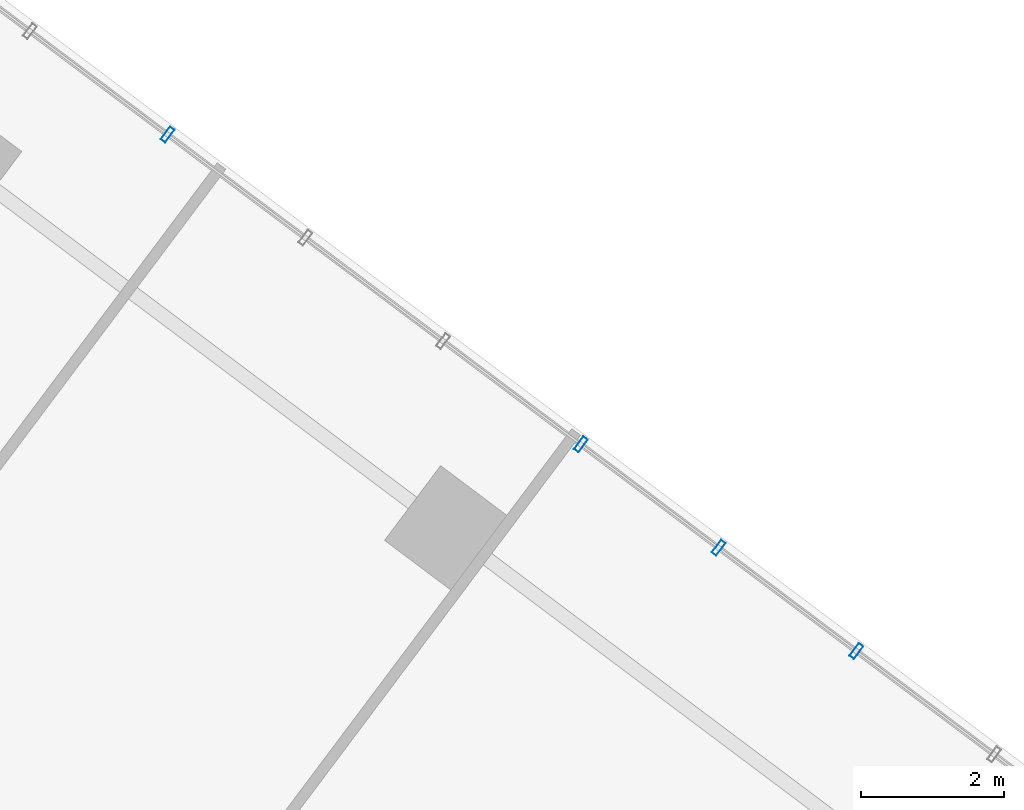
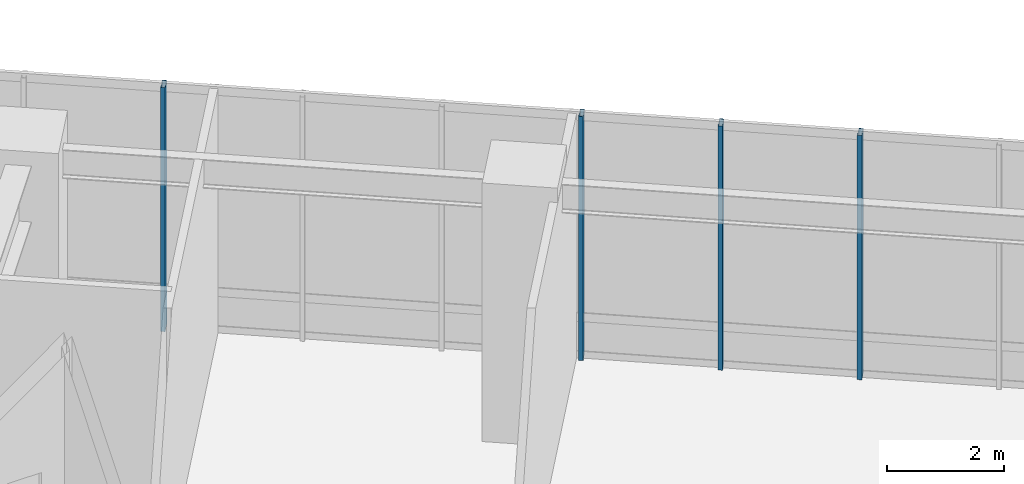
# One storey, part 7 of 35: 4 members, 1 element without a shape of its own.
"""IFC4 building model written with IfcOpenShell, lengths in metres."""

from ifc_helpers import new_model, si_unit, direction, frame, origin, origin_2d, place, context, subcontext, project, spatial, hollow_rectangle, extrude, material, layer, layer_set, material_profile, profile_set, type_object, element, aggregate, save


model = new_model("IFC4")

# Units and contexts
model_context = context("Model", 3, precision=1e-05, world=origin(), true_north=direction((0.0, 1.0)))
body_context = subcontext(model_context, "Body", "Model", "MODEL_VIEW")
ifc_project = project(units=[si_unit("LENGTHUNIT", "METRE"), si_unit("AREAUNIT", "SQUARE_METRE"), si_unit("VOLUMEUNIT", "CUBIC_METRE"), si_unit("PLANEANGLEUNIT", "RADIAN"), si_unit("MASSUNIT", "GRAM", prefix="KILO")], contexts=[model_context])

# Site, building, storey
site_placement = place(None, origin())
site = spatial("IfcSite", under=ifc_project, at=site_placement, CompositionType="ELEMENT")
building_placement = place(site_placement, origin())
building = spatial("IfcBuilding", under=site, at=building_placement, Name="Hatsunagi Terrace Concourse", CompositionType="ELEMENT")
storey_placement = place(building_placement, frame((0.0, 0.0, 10.800048828125)))
storey = spatial("IfcBuildingStorey", under=building, at=storey_placement, Name="L03", CompositionType="ELEMENT", Elevation=10.800048828125)

# Curtain wall, members
ifc_material_1 = material(Name="Anodised Aluminium Alloy 6063-T5", Category="aluminium")
ifc_layer = layer(ifc_material_1, 0.199951171875)
ifc_layer_set = layer_set([ifc_layer], Name="PodiumStorefront_CW01")
curtain_wall_type = type_object("IfcCurtainWallType", Name="PodiumStorefront_CW01", PredefinedType="NOTDEFINED", material=ifc_layer_set)
curtain_wall_placement = place(storey_placement, origin())
curtain_wall = element("IfcCurtainWall", 1, at=curtain_wall_placement, inside=storey, type_object=curtain_wall_type, Name="Unitised Curtain Wall CW-01 CW-L03-01", PredefinedType="NOTDEFINED")
ifc_material_2 = material(Name="Anodised Aluminium Alloy 6063-T5", Category="aluminium")
ifc_material_profile = material_profile(ifc_material_2, hollow_rectangle(XDim=0.080078125, YDim=0.219970703125, WallThickness=0.0048828125, at=origin_2d()), Name="ALU-MUL-220x80x5")
ifc_profile_set = profile_set([ifc_material_profile], Name="Anodised Aluminium Alloy 6063-T5")
member_type = type_object("IfcMemberType", Name="CurtainWallMullion_Heavy_220x80", PredefinedType="MULLION", material=ifc_profile_set)
member_1_placement = place(storey_placement, frame((54.464111328125, 33.527099609375, 0.0), z_axis=(0.0, 0.0, 1.0), x_axis=(0.800007305671, -0.599990258982, 0.0)))
member_1 = element("IfcMember", 2, at=member_1_placement, type_object=member_type, Name="Curtain Wall Mullion MUL-01", PredefinedType="MULLION", context=body_context, shape_type="SweptSolid", body=[
    extrude(hollow_rectangle(XDim=0.080078125, YDim=0.219970703125, WallThickness=0.0048828125, at=origin_2d()), origin(), (0.0, 0.0, 1.0), 5.099853515625),
])
member_2_placement = place(storey_placement, frame((60.22607421875, 29.2060546875, 0.0), z_axis=(0.0, 0.0, 1.0), x_axis=(0.800007305671, -0.599990258982, 0.0)))
member_2 = element("IfcMember", 3, at=member_2_placement, type_object=member_type, Name="Curtain Wall Mullion MUL-01", PredefinedType="MULLION", context=body_context, shape_type="SweptSolid", body=[
    extrude(hollow_rectangle(XDim=0.080078125, YDim=0.219970703125, WallThickness=0.0048828125, at=origin_2d()), origin(), (0.0, 0.0, 1.0), 5.099853515625),
])
member_3_placement = place(storey_placement, frame((62.14697265625, 27.764892578125, 0.0), z_axis=(0.0, 0.0, 1.0), x_axis=(0.800007305671, -0.599990258982, 0.0)))
member_3 = element("IfcMember", 4, at=member_3_placement, type_object=member_type, Name="Curtain Wall Mullion MUL-01", PredefinedType="MULLION", context=body_context, shape_type="SweptSolid", body=[
    extrude(hollow_rectangle(XDim=0.080078125, YDim=0.219970703125, WallThickness=0.0048828125, at=origin_2d()), origin(), (0.0, 0.0, 1.0), 5.099853515625),
])
member_4_placement = place(storey_placement, frame((64.068115234375, 26.324951171875, 0.0), z_axis=(0.0, 0.0, 1.0), x_axis=(0.800007305671, -0.599990258982, 0.0)))
member_4 = element("IfcMember", 5, at=member_4_placement, type_object=member_type, Name="Curtain Wall Mullion MUL-01", PredefinedType="MULLION", context=body_context, shape_type="SweptSolid", body=[
    extrude(hollow_rectangle(XDim=0.080078125, YDim=0.219970703125, WallThickness=0.0048828125, at=origin_2d()), origin(), (0.0, 0.0, 1.0), 5.099853515625),
])
aggregate(curtain_wall, [member_1, member_2, member_3, member_4])

save(model, "model.ifc")
